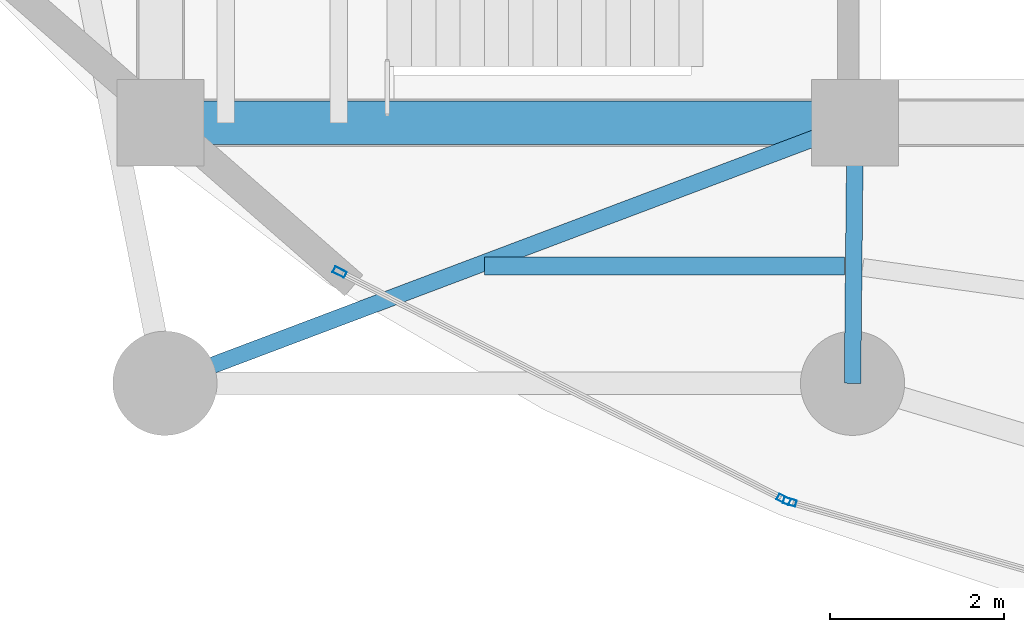
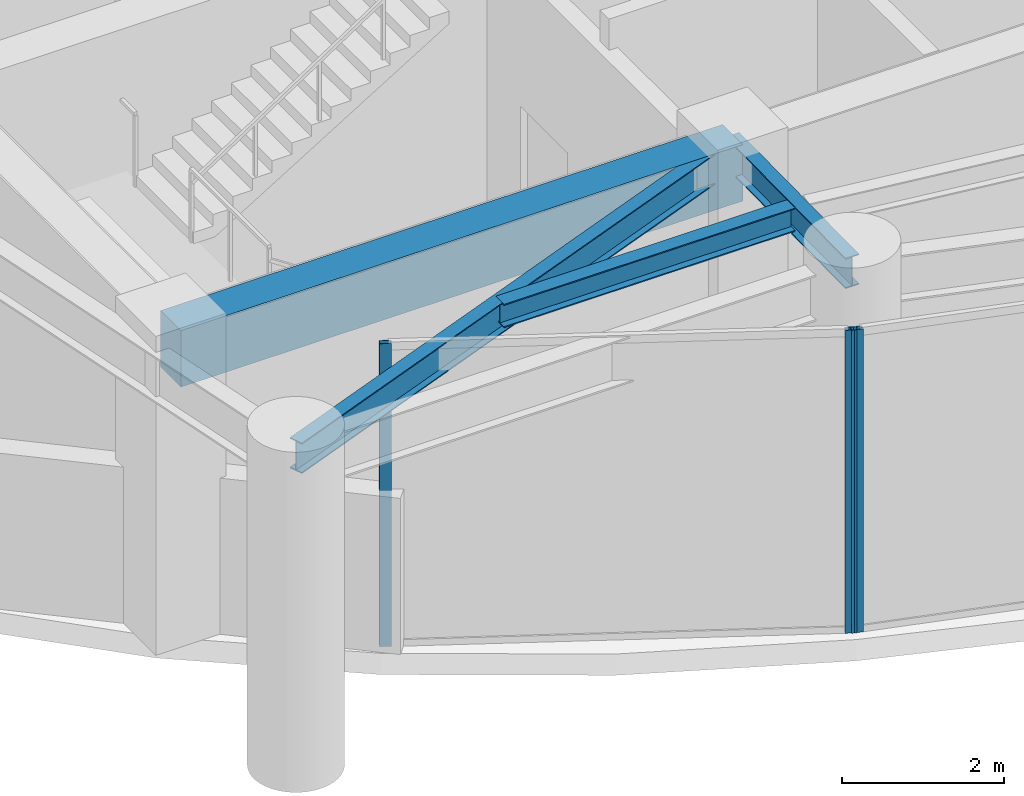
# One storey, part 2 of 30: 4 beams, 3 members, 2 elements without a shape of their own.
"""IFC4 building model written with IfcOpenShell, lengths in metres."""

from ifc_helpers import new_model, si_unit, direction, frame, origin, origin_2d, place, context, subcontext, project, spatial, rectangle, hollow_rectangle, i_section, extrude, material, layer, layer_set, material_profile, profile_set, type_object, element, aggregate, save


model = new_model("IFC4")

# Units and contexts
model_context = context("Model", 3, precision=1e-05, world=origin(), true_north=direction((0.0, 1.0)))
body_context = subcontext(model_context, "Body", "Model", "MODEL_VIEW")
ifc_project = project(units=[si_unit("LENGTHUNIT", "METRE"), si_unit("AREAUNIT", "SQUARE_METRE"), si_unit("VOLUMEUNIT", "CUBIC_METRE"), si_unit("PLANEANGLEUNIT", "RADIAN"), si_unit("MASSUNIT", "GRAM", prefix="KILO")], contexts=[model_context])

# Site, building, storey
site_placement = place(None, origin())
site = spatial("IfcSite", under=ifc_project, at=site_placement, CompositionType="ELEMENT")
building_placement = place(site_placement, origin())
building = spatial("IfcBuilding", under=site, at=building_placement, Name="Kazevale Care Tower and Concert Hall", CompositionType="ELEMENT")
storey_placement = place(building_placement, frame((0.0, 0.0, 97.800048828125)))
storey = spatial("IfcBuildingStorey", under=building, at=storey_placement, Name="L25", CompositionType="ELEMENT", Elevation=97.800048828125)

# Curtain wall, member
ifc_material_1 = material(Name="Aluminium 6063-T6 and Low-E Glass", Category="aluminium")
ifc_layer = layer(ifc_material_1, 0.179931640625)
ifc_layer_set = layer_set([ifc_layer], Name="Aluminium 6063-T6 and Low-E Glass")
curtain_wall_type = type_object("IfcCurtainWallType", Name="Sheltered Concave Balcony Curtain Wall CW-5", PredefinedType="NOTDEFINED", material=ifc_layer_set)
curtain_wall_1_placement = place(storey_placement, origin())
curtain_wall_1 = element("IfcCurtainWall", 1, at=curtain_wall_1_placement, inside=storey, type_object=curtain_wall_type, Name="cw:L25:f08", PredefinedType="NOTDEFINED")
ifc_material_2 = material(Name="Aluminium 6063-T6", Category="aluminium")
ifc_material_profile_1 = material_profile(ifc_material_2, hollow_rectangle(XDim=0.074951171875, YDim=0.14990234375, WallThickness=0.00390625, at=origin_2d()), Name="ALU75x150x4")
ifc_profile_set_1 = profile_set([ifc_material_profile_1], Name="Aluminium 6063-T6")
member_type = type_object("IfcMemberType", Name="CW-5 Mullion ALU75x150x4", PredefinedType="MULLION", material=ifc_profile_set_1)
member_1_placement = place(storey_placement, frame((29.2470703125, 19.234619140625, 0.0), z_axis=(0.0, 0.0, 1.0), x_axis=(-0.276290733172, -0.961074102639, 0.0)))
member_1 = element("IfcMember", 2, at=member_1_placement, type_object=member_type, Name="CW-5 mullion 2", PredefinedType="MULLION", context=body_context, shape_type="SweptSolid", body=[
    extrude(hollow_rectangle(XDim=0.074951171875, YDim=0.14990234375, WallThickness=0.00390625, at=origin_2d()), origin(), (0.0, 0.0, 1.0), 4.56005859375),
])
aggregate(curtain_wall_1, [member_1])

# Curtain wall, members
curtain_wall_2_placement = place(storey_placement, origin())
curtain_wall_2 = element("IfcCurtainWall", 3, at=curtain_wall_2_placement, inside=storey, type_object=curtain_wall_type, Name="cw:L25:f09", PredefinedType="NOTDEFINED")
member_2_placement = place(storey_placement, frame((29.177734375, 19.26220703125, 0.0), z_axis=(0.0, 0.0, 1.0), x_axis=(-0.455713236575, -0.890126646051, 0.0)))
member_2 = element("IfcMember", 4, at=member_2_placement, type_object=member_type, Name="CW-5 mullion 1", PredefinedType="MULLION", context=body_context, shape_type="SweptSolid", body=[
    extrude(hollow_rectangle(XDim=0.074951171875, YDim=0.14990234375, WallThickness=0.00390625, at=origin_2d()), origin(), (0.0, 0.0, 1.0), 4.56005859375),
])
member_3_placement = place(storey_placement, frame((24.0625, 21.880859375, 0.0), z_axis=(0.0, 0.0, 1.0), x_axis=(-0.455713236575, -0.890126646051, 0.0)))
member_3 = element("IfcMember", 5, at=member_3_placement, type_object=member_type, Name="CW-5 mullion 2", PredefinedType="MULLION", context=body_context, shape_type="SweptSolid", body=[
    extrude(hollow_rectangle(XDim=0.074951171875, YDim=0.14990234375, WallThickness=0.00390625, at=origin_2d()), origin(), (0.0, 0.0, 1.0), 4.56005859375),
])
aggregate(curtain_wall_2, [member_2, member_3])

# Beams
ifc_material_3 = material(Name="Concrete C60", Category="concrete")
ifc_material_profile_2 = material_profile(ifc_material_3, rectangle(XDim=0.5, YDim=0.85009765625, at=origin_2d()), Name="RC-B500x850")
ifc_profile_set_2 = profile_set([ifc_material_profile_2], Name="Concrete C60")
beam_type_1 = type_object("IfcBeamType", Name="Core Coupling Beam RC500x850", PredefinedType="LINTEL", material=ifc_profile_set_2)
beam_1_placement = place(storey_placement, frame((22.0, 23.60009765625, 4.135009765625), z_axis=(1.0, 0.0, 0.0), x_axis=(0.0, 1.0, 0.0)))
element("IfcBeam", 6, at=beam_1_placement, inside=storey, type_object=beam_type_1, Name="beam:L25:coretie:1", PredefinedType="LINTEL", context=body_context, shape_type="SweptSolid", body=[
    extrude(rectangle(XDim=0.5, YDim=0.85009765625, at=origin_2d()), origin(), (0.0, 0.0, 1.0), 8.0),
])
ifc_material_4 = material(Name="Steel ASTM A572 Gr 50", Category="steel")
ifc_material_profile_3 = material_profile(ifc_material_4, i_section(OverallWidth=0.19091796875, OverallDepth=0.4599609375, WebThickness=0.010009765625, FlangeThickness=0.01611328125, at=origin_2d()), Name="W460x82")
ifc_profile_set_3 = profile_set([ifc_material_profile_3], Name="Steel ASTM A572 Gr 50")
beam_type_2 = type_object("IfcBeamType", Name="Radial Floor Beam W460x82", PredefinedType="BEAM", material=ifc_profile_set_3)
beam_2_placement = place(storey_placement, frame((30.0, 23.60009765625, 4.329833984375), z_axis=(-0.935601002663, -0.353059150592, 0.0), x_axis=(0.353059150592, -0.935601002663, 0.0)))
element("IfcBeam", 7, at=beam_2_placement, inside=storey, type_object=beam_type_2, Name="beam:L25:rad:10", PredefinedType="BEAM", context=body_context, shape_type="SweptSolid", body=[
    extrude(i_section(OverallWidth=0.19091796875, OverallDepth=0.4599609375, WebThickness=0.010009765625, FlangeThickness=0.01611328125, at=origin_2d()), origin(), (0.0, 0.0, 1.0), 8.4970703125),
])
beam_3_placement = place(storey_placement, frame((30.0, 23.60009765625, 4.329833984375), z_axis=(-0.010009264196, -0.99994990606, 0.0), x_axis=(0.99994990606, -0.010009264196, 0.0)))
element("IfcBeam", 8, at=beam_3_placement, inside=storey, type_object=beam_type_2, Name="beam:L25:rad:11", PredefinedType="BEAM", context=body_context, shape_type="SweptSolid", body=[
    extrude(i_section(OverallWidth=0.19091796875, OverallDepth=0.4599609375, WebThickness=0.010009765625, FlangeThickness=0.01611328125, at=origin_2d()), origin(), (0.0, 0.0, 1.0), 3.000244140625),
])
ifc_material_profile_4 = material_profile(ifc_material_4, i_section(OverallWidth=0.205078125, OverallDepth=0.35400390625, WebThickness=0.009521484375, FlangeThickness=0.016845703125, at=origin_2d()), Name="W360x79")
ifc_profile_set_4 = profile_set([ifc_material_profile_4], Name="Steel ASTM A572 Gr 50")
beam_type_3 = type_object("IfcBeamType", Name="Secondary Floor Joist W360x79", PredefinedType="JOIST", material=ifc_profile_set_4)
beam_4_placement = place(storey_placement, frame((25.73291015625, 21.949951171875, 4.383056640625), z_axis=(1.0, 0.0, 0.0), x_axis=(0.0, 1.0, 0.0)))
element("IfcBeam", 9, at=beam_4_placement, inside=storey, type_object=beam_type_3, Name="beam:L25:joist:10", PredefinedType="JOIST", context=body_context, shape_type="SweptSolid", body=[
    extrude(i_section(OverallWidth=0.205078125, OverallDepth=0.35400390625, WebThickness=0.009521484375, FlangeThickness=0.016845703125, at=origin_2d()), origin(), (0.0, 0.0, 1.0), 4.14501953125),
])

save(model, "model.ifc")
